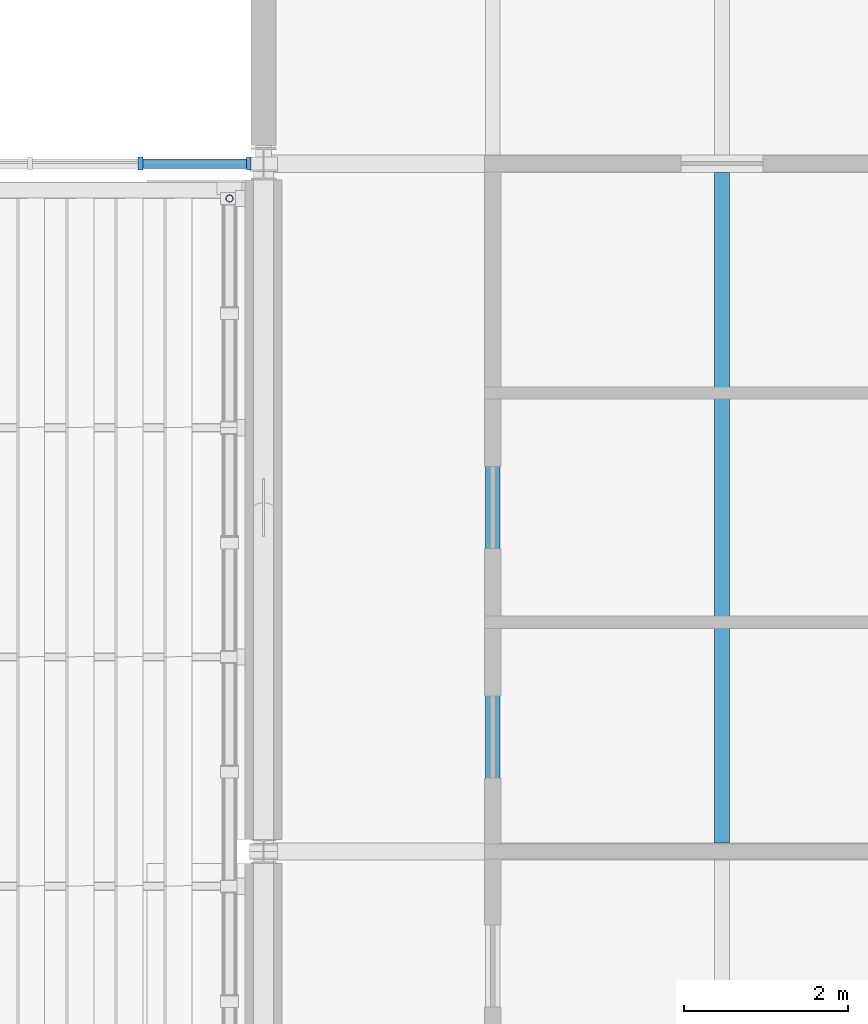
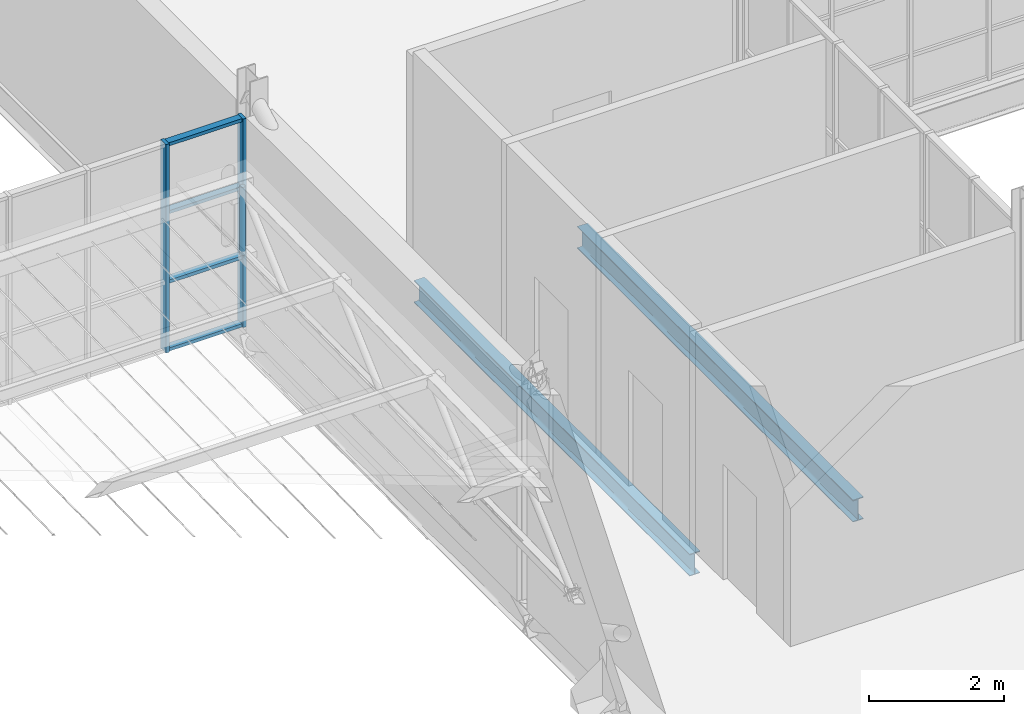
# One storey, part 39 of 129: 7 members, 2 beams, 1 element without a shape of its own.
"""IFC4 building model written with IfcOpenShell, lengths in metres."""

from ifc_helpers import new_model, si_unit, direction, frame, origin, origin_2d, place, context, subcontext, project, spatial, rectangle, hollow_circle, i_section, extrude, material, layer, layer_set, material_profile, profile_set, type_object, element, aggregate, save


model = new_model("IFC4")

# Units and contexts
model_context = context("Model", 3, precision=1e-05, world=origin(), true_north=direction((0.0, 1.0)))
body_context = subcontext(model_context, "Body", "Model", "MODEL_VIEW")
ifc_project = project(units=[si_unit("LENGTHUNIT", "METRE"), si_unit("AREAUNIT", "SQUARE_METRE"), si_unit("VOLUMEUNIT", "CUBIC_METRE"), si_unit("PLANEANGLEUNIT", "RADIAN"), si_unit("MASSUNIT", "GRAM", prefix="KILO")], contexts=[model_context])

# Site, building, storey
site_placement = place(None, origin())
site = spatial("IfcSite", under=ifc_project, at=site_placement, CompositionType="ELEMENT")
building_placement = place(site_placement, origin())
building = spatial("IfcBuilding", under=site, at=building_placement, Name="Ardhachandra Cancer Care Centre", CompositionType="ELEMENT")
storey_placement = place(building_placement, frame((0.0, 0.0, 4.5)))
storey = spatial("IfcBuildingStorey", under=building, at=storey_placement, Name="L01", CompositionType="ELEMENT", Elevation=4.5)

# Beams
ifc_material_1 = material(Name="Steel E350 (IS 2062)", Category="steel")
ifc_material_profile_1 = material_profile(ifc_material_1, i_section(OverallWidth=0.179931640625, OverallDepth=0.39990234375, WebThickness=0.008544921875, FlangeThickness=0.013427734375, FilletRadius=0.02099609375, at=origin_2d()), Name="NPB 400x180x66.30")
ifc_profile_set_1 = profile_set([ifc_material_profile_1], Name="Steel E350 (IS 2062)")
beam_type = type_object("IfcBeamType", Name="Beam NPB 400x180x66.30", PredefinedType="BEAM", material=ifc_profile_set_1)
for number, where, z_axis, x_axis, name in (
    (1, (114.39990234375, 46.304931640625, -0.35009765625), (0.0, 1.0, 0.0), (-1.0, 0.0, 0.0), "Secondary E13-F13@2800"),
    (2, (117.199951171875, 46.304931640625, -0.35009765625), (0.0, 1.0, 0.0), (-1.0, 0.0, 0.0), "Secondary E13-F13@5600"),
):
    element("IfcBeam", number, at=place(storey_placement, frame(where, z_axis=z_axis, x_axis=x_axis)), inside=storey, type_object=beam_type, Name=name, PredefinedType="BEAM", context=body_context, shape_type="SweptSolid", body=[
        extrude(i_section(OverallWidth=0.179931640625, OverallDepth=0.39990234375, WebThickness=0.008544921875, FlangeThickness=0.013427734375, FilletRadius=0.02099609375, at=origin_2d()), origin(), (0.0, 0.0, 1.0), 8.190185546875),
    ])

# Member
ifc_material_2 = material(Name="Steel E350 (IS 2062)", Category="steel")
ifc_material_profile_2 = material_profile(ifc_material_2, hollow_circle(Radius=0.04443359375, WallThickness=0.00390625, at=origin_2d()), Name="CHS 88.9x4.0")
ifc_profile_set_2 = profile_set([ifc_material_profile_2], Name="Steel E350 (IS 2062)")
member_type_1 = type_object("IfcMemberType", Name="Canopy truss post CHS 88.9x4.0", PredefinedType="POST", material=ifc_profile_set_2)
member_1_placement = place(storey_placement, frame((111.18505859375, 54.175048828125, 2.853515625), z_axis=(0.0, 0.0, -1.0), x_axis=(1.0, 0.0, 0.0)))
element("IfcMember", 3, at=member_1_placement, inside=storey, type_object=member_type_1, Name="Canopy truss 9 web vertical WV34", PredefinedType="POST", context=body_context, shape_type="SweptSolid", body=[
    extrude(hollow_circle(Radius=0.04443359375, WallThickness=0.00390625, at=origin_2d()), origin(), (0.0, 0.0, 1.0), 1.235107421875),
])

# Curtain wall, members
ifc_material_3 = material(Name="Aluminium extrusion", Category="aluminium")
ifc_layer = layer(ifc_material_3, 0.14990234375)
ifc_layer_set = layer_set([ifc_layer], Name="Aluminium extrusion")
curtain_wall_type = type_object("IfcCurtainWallType", Name="Curtain wall run", PredefinedType="NOTDEFINED", material=ifc_layer_set)
curtain_wall_placement = place(storey_placement, origin())
curtain_wall = element("IfcCurtainWall", 4, at=curtain_wall_placement, inside=storey, type_object=curtain_wall_type, Name="Curtain wall L01 s/0103200_0054600", PredefinedType="NOTDEFINED")
ifc_material_4 = material(Name="Aluminium extrusion", Category="aluminium")
ifc_material_profile_3 = material_profile(ifc_material_4, rectangle(XDim=0.159912109375, YDim=0.06005859375, at=origin_2d()), Name="Curtain wall mullion 60 x 160")
ifc_profile_set_3 = profile_set([ifc_material_profile_3], Name="Aluminium extrusion")
member_type_2 = type_object("IfcMemberType", Name="Curtain wall mullion 60 x 160", PredefinedType="MULLION", material=ifc_profile_set_3)
member_2_placement = place(storey_placement, frame((110.10009765625, 54.60009765625, 0.0), z_axis=(0.0, 0.0, 1.0), x_axis=(0.0, 1.0, 0.0)))
member_2 = element("IfcMember", 5, at=member_2_placement, type_object=member_type_2, Name="CW mullion 6", PredefinedType="MULLION", context=body_context, shape_type="SweptSolid", body=[
    extrude(rectangle(XDim=0.159912109375, YDim=0.06005859375, at=origin_2d()), origin(), (0.0, 0.0, 1.0), 3.780517578125),
])
member_3_placement = place(storey_placement, frame((111.419921875, 54.60009765625, 0.0), z_axis=(0.0, 0.0, 1.0), x_axis=(0.0, 1.0, 0.0)))
member_3 = element("IfcMember", 6, at=member_3_placement, type_object=member_type_2, Name="CW mullion 7", PredefinedType="MULLION", context=body_context, shape_type="SweptSolid", body=[
    extrude(rectangle(XDim=0.159912109375, YDim=0.06005859375, at=origin_2d()), origin(), (0.0, 0.0, 1.0), 3.780517578125),
])
ifc_material_5 = material(Name="Aluminium extrusion", Category="aluminium")
ifc_material_profile_4 = material_profile(ifc_material_5, rectangle(XDim=0.1201171875, YDim=0.06005859375, at=origin_2d()), Name="Curtain wall transom 60 x 120")
ifc_profile_set_4 = profile_set([ifc_material_profile_4], Name="Aluminium extrusion")
member_type_3 = type_object("IfcMemberType", Name="Curtain wall transom 60 x 120", PredefinedType="USERDEFINED", material=ifc_profile_set_4)
member_4_placement = place(storey_placement, frame((110.1298828125, 54.60009765625, 0.030029296875), z_axis=(1.0, 0.0, 0.0), x_axis=(0.0, 1.0, 0.0)))
member_4 = element("IfcMember", 7, at=member_4_placement, type_object=member_type_3, Name="CW transom 6.1", ObjectType="TRANSOM", PredefinedType="USERDEFINED", context=body_context, shape_type="SweptSolid", body=[
    extrude(rectangle(XDim=0.1201171875, YDim=0.06005859375, at=origin_2d()), origin(), (0.0, 0.0, 1.0), 1.260009765625),
])
member_5_placement = place(storey_placement, frame((110.1298828125, 54.60009765625, 1.26025390625), z_axis=(1.0, 0.0, 0.0), x_axis=(0.0, 1.0, 0.0)))
member_5 = element("IfcMember", 8, at=member_5_placement, type_object=member_type_3, Name="CW transom 6.2", ObjectType="TRANSOM", PredefinedType="USERDEFINED", context=body_context, shape_type="SweptSolid", body=[
    extrude(rectangle(XDim=0.1201171875, YDim=0.06005859375, at=origin_2d()), origin(), (0.0, 0.0, 1.0), 1.260009765625),
])
member_6_placement = place(storey_placement, frame((110.1298828125, 54.60009765625, 2.520263671875), z_axis=(1.0, 0.0, 0.0), x_axis=(0.0, 1.0, 0.0)))
member_6 = element("IfcMember", 9, at=member_6_placement, type_object=member_type_3, Name="CW transom 6.3", ObjectType="TRANSOM", PredefinedType="USERDEFINED", context=body_context, shape_type="SweptSolid", body=[
    extrude(rectangle(XDim=0.1201171875, YDim=0.06005859375, at=origin_2d()), origin(), (0.0, 0.0, 1.0), 1.260009765625),
])
member_7_placement = place(storey_placement, frame((110.1298828125, 54.60009765625, 3.75048828125), z_axis=(1.0, 0.0, 0.0), x_axis=(0.0, 1.0, 0.0)))
member_7 = element("IfcMember", 10, at=member_7_placement, type_object=member_type_3, Name="CW transom 6.4", ObjectType="TRANSOM", PredefinedType="USERDEFINED", context=body_context, shape_type="SweptSolid", body=[
    extrude(rectangle(XDim=0.1201171875, YDim=0.06005859375, at=origin_2d()), origin(), (0.0, 0.0, 1.0), 1.260009765625),
])
aggregate(curtain_wall, [member_2, member_3, member_4, member_5, member_6, member_7])

save(model, "model.ifc")
